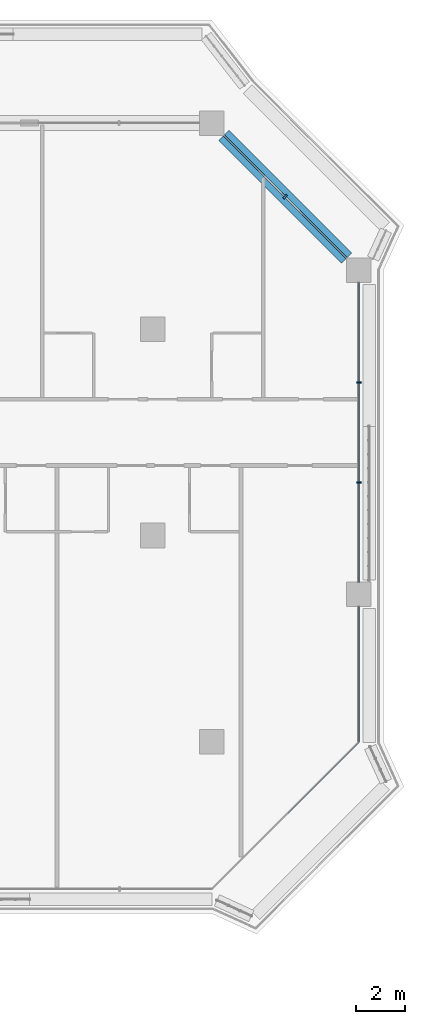
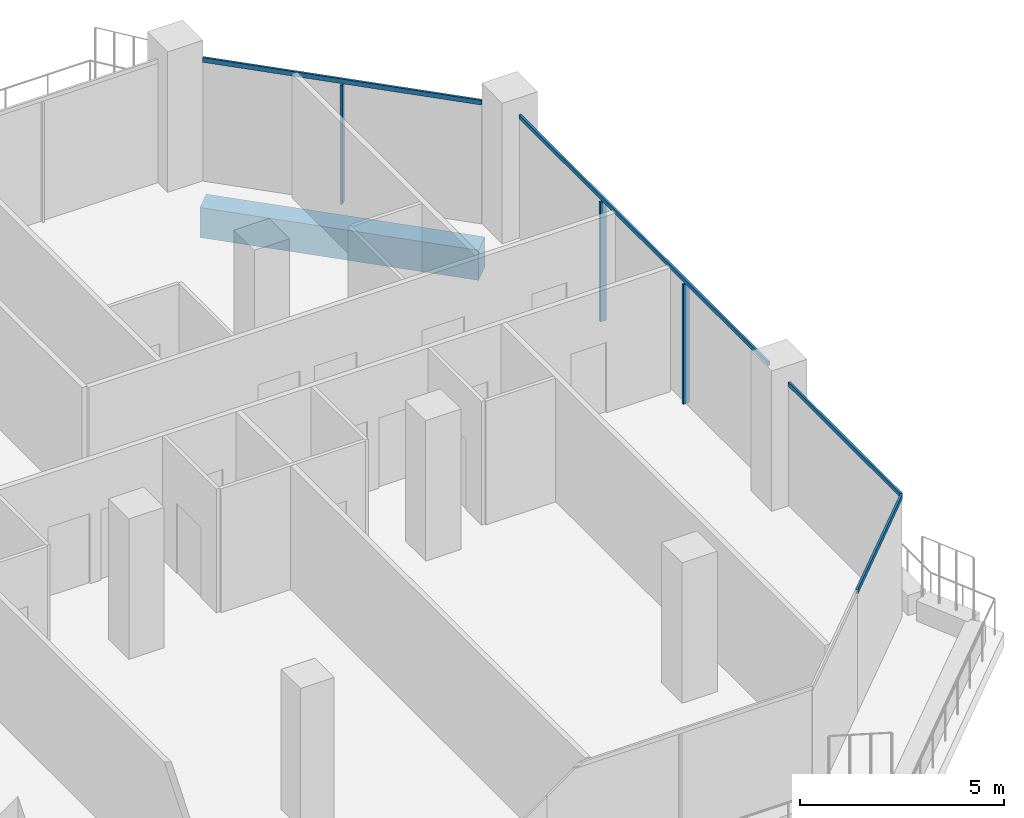
# One storey, part 7 of 22: 7 members, 1 beam, 3 elements without a shape of their own.
"""IFC4 building model written with IfcOpenShell, lengths in metres."""

from ifc_helpers import new_model, si_unit, direction, frame, origin, origin_2d, place, context, subcontext, project, spatial, rectangle, extrude, material, layer, layer_set, material_profile, profile_set, type_object, element, aggregate, save


model = new_model("IFC4")

# Units and contexts
model_context = context("Model", 3, precision=1e-05, world=origin(), true_north=direction((0.0, 1.0)))
body_context = subcontext(model_context, "Body", "Model", "MODEL_VIEW")
ifc_project = project(units=[si_unit("LENGTHUNIT", "METRE"), si_unit("AREAUNIT", "SQUARE_METRE"), si_unit("VOLUMEUNIT", "CUBIC_METRE"), si_unit("PLANEANGLEUNIT", "RADIAN"), si_unit("MASSUNIT", "GRAM", prefix="KILO")], contexts=[model_context])

# Site, building, storey
site_placement = place(None, origin())
site = spatial("IfcSite", under=ifc_project, at=site_placement, CompositionType="ELEMENT")
building_placement = place(site_placement, origin())
building = spatial("IfcBuilding", under=site, at=building_placement, Name="Kawkab Arch Medical Tower", CompositionType="ELEMENT")
storey_placement = place(building_placement, frame((0.0, 0.0, 208.800048828125)))
storey = spatial("IfcBuildingStorey", under=building, at=storey_placement, Name="L48", CompositionType="ELEMENT", Elevation=208.800048828125)

# Curtain wall, members
ifc_material_1 = material(Name="Bronze anodised aluminium curtain wall frame", Category="aluminium")
ifc_layer_1 = layer(ifc_material_1, 0.159912109375)
ifc_layer_set_1 = layer_set([ifc_layer_1], Name="Bronze anodised aluminium curtain wall frame")
curtain_wall_type_1 = type_object("IfcCurtainWallType", Name="CW1 ward curtain wall", PredefinedType="NOTDEFINED", material=ifc_layer_set_1)
placement = place(storey_placement, origin())
curtain_wall_1 = element("IfcCurtainWall", 1, at=placement, inside=storey, type_object=curtain_wall_type_1, Name="CW1 Ward curtain wall R09", PredefinedType="NOTDEFINED")
ifc_material_2 = material(Name="Bronze anodised aluminium curtain wall frame", Category="aluminium")
ifc_material_profile_1 = material_profile(ifc_material_2, rectangle(XDim=0.179931640625, YDim=0.06005859375, at=origin_2d()), Name="AL 60x180")
ifc_profile_set_1 = profile_set([ifc_material_profile_1], Name="Bronze anodised aluminium curtain wall frame")
member_type_1 = type_object("IfcMemberType", Name="CW1 mullion 60 x 180", PredefinedType="MULLION", material=ifc_profile_set_1)
member_1_placement = place(storey_placement, frame((67.199951171875, -14.63330078125, 0.0), z_axis=(0.0, 0.0, 1.0), x_axis=(-1.0, 0.0, 0.0)))
member_1 = element("IfcMember", 2, at=member_1_placement, type_object=member_type_1, Name="CW1 mullion 2.1", PredefinedType="MULLION", context=body_context, shape_type="SweptSolid", body=[
    extrude(rectangle(XDim=0.179931640625, YDim=0.06005859375, at=origin_2d()), origin(), (0.0, 0.0, 1.0), 3.579833984375),
])
member_2_placement = place(storey_placement, frame((67.199951171875, -10.566650390625, 0.0), z_axis=(0.0, 0.0, 1.0), x_axis=(-1.0, 0.0, 0.0)))
member_2 = element("IfcMember", 3, at=member_2_placement, type_object=member_type_1, Name="CW1 mullion 2.2", PredefinedType="MULLION", context=body_context, shape_type="SweptSolid", body=[
    extrude(rectangle(XDim=0.179931640625, YDim=0.06005859375, at=origin_2d()), origin(), (0.0, 0.0, 1.0), 3.579833984375),
])
ifc_material_3 = material(Name="Bronze anodised aluminium curtain wall frame", Category="aluminium")
ifc_material_profile_2 = material_profile(ifc_material_3, rectangle(XDim=0.06005859375, YDim=0.1201171875, at=origin_2d()), Name="AL 60x120")
ifc_profile_set_2 = profile_set([ifc_material_profile_2], Name="Bronze anodised aluminium curtain wall frame")
member_type_2 = type_object("IfcMemberType", Name="CW1 transom 120 x 60", PredefinedType="USERDEFINED", material=ifc_profile_set_2)
member_3_placement = place(storey_placement, frame((67.199951171875, -25.199951171875, 3.639892578125), z_axis=(0.0, 1.0, 0.0), x_axis=(-1.0, 0.0, 0.0)))
member_3 = element("IfcMember", 4, at=member_3_placement, type_object=member_type_2, Name="CW1 transom 1", ObjectType="TRANSOM", PredefinedType="USERDEFINED", context=body_context, shape_type="SweptSolid", body=[
    extrude(rectangle(XDim=0.06005859375, YDim=0.1201171875, at=origin_2d()), origin(), (0.0, 0.0, 1.0), 5.5),
])
member_4_placement = place(storey_placement, frame((67.199951171875, -18.699951171875, 3.639892578125), z_axis=(0.0, 1.0, 0.0), x_axis=(-1.0, 0.0, 0.0)))
member_4 = element("IfcMember", 5, at=member_4_placement, type_object=member_type_2, Name="CW1 transom 2", ObjectType="TRANSOM", PredefinedType="USERDEFINED", context=body_context, shape_type="SweptSolid", body=[
    extrude(rectangle(XDim=0.06005859375, YDim=0.1201171875, at=origin_2d()), origin(), (0.0, 0.0, 1.0), 12.199951171875),
])
aggregate(curtain_wall_1, [member_3, member_4, member_1, member_2])

# Curtain wall, member
ifc_material_4 = material(Name="Bronze anodised aluminium curtain wall frame", Category="aluminium")
ifc_layer_2 = layer(ifc_material_4, 0.159912109375)
ifc_layer_set_2 = layer_set([ifc_layer_2], Name="Bronze anodised aluminium curtain wall frame")
curtain_wall_type_2 = type_object("IfcCurtainWallType", Name="CW2 chamfer curtain wall", PredefinedType="NOTDEFINED", material=ifc_layer_set_2)
curtain_wall_2 = element("IfcCurtainWall", 6, at=placement, inside=storey, type_object=curtain_wall_type_2, Name="CW2 Chamfer curtain wall R10", PredefinedType="NOTDEFINED")
ifc_material_5 = material(Name="Bronze anodised aluminium curtain wall frame", Category="aluminium")
ifc_material_profile_3 = material_profile(ifc_material_5, rectangle(XDim=0.199951171875, YDim=0.06005859375, at=origin_2d()), Name="AL 60x200")
ifc_profile_set_3 = profile_set([ifc_material_profile_3], Name="Bronze anodised aluminium curtain wall frame")
member_type_3 = type_object("IfcMemberType", Name="CW2 mullion 60 x 200", PredefinedType="MULLION", material=ifc_profile_set_3)
member_5_placement = place(storey_placement, frame((64.199951171875, -3.0, 0.0), z_axis=(0.0, 0.0, 1.0), x_axis=(-0.707106781187, -0.707106781187, 0.0)))
member_5 = element("IfcMember", 7, at=member_5_placement, type_object=member_type_3, Name="CW2 mullion 1.1", PredefinedType="MULLION", context=body_context, shape_type="SweptSolid", body=[
    extrude(rectangle(XDim=0.199951171875, YDim=0.06005859375, at=origin_2d()), origin(), (0.0, 0.0, 1.0), 3.56005859375),
])

curtain_wall_3 = element("IfcCurtainWall", 8, at=placement, inside=storey, type_object=curtain_wall_type_2, Name="CW2 Chamfer curtain wall R08", PredefinedType="NOTDEFINED")
ifc_material_6 = material(Name="Bronze anodised aluminium curtain wall frame", Category="aluminium")
ifc_material_profile_4 = material_profile(ifc_material_6, rectangle(XDim=0.06005859375, YDim=0.139892578125, at=origin_2d()), Name="AL 60x140")
ifc_profile_set_4 = profile_set([ifc_material_profile_4], Name="Bronze anodised aluminium curtain wall frame")
member_type_4 = type_object("IfcMemberType", Name="CW2 transom 140 x 60", PredefinedType="USERDEFINED", material=ifc_profile_set_4)
member_6_placement = place(storey_placement, frame((64.199951171875, -28.199951171875, 3.6298828125), z_axis=(0.707106781187, 0.707106781187, 0.0), x_axis=(-0.707106781187, 0.707106781187, 0.0)))
member_6 = element("IfcMember", 9, at=member_6_placement, type_object=member_type_4, Name="CW2 transom 2", ObjectType="TRANSOM", PredefinedType="USERDEFINED", context=body_context, shape_type="SweptSolid", body=[
    extrude(rectangle(XDim=0.06005859375, YDim=0.139892578125, at=origin_2d()), origin(), (0.0, 0.0, 1.0), 4.24267578125),
])
aggregate(curtain_wall_3, [member_6])

# Member
member_7_placement = place(storey_placement, frame((66.699951171875, -5.5, 3.6298828125), z_axis=(-0.707106781187, 0.707106781187, 0.0), x_axis=(-0.707106781187, -0.707106781187, 0.0)))
member_7 = element("IfcMember", 10, at=member_7_placement, type_object=member_type_4, Name="CW2 transom 1", ObjectType="TRANSOM", PredefinedType="USERDEFINED", context=body_context, shape_type="SweptSolid", body=[
    extrude(rectangle(XDim=0.06005859375, YDim=0.139892578125, at=origin_2d()), origin(), (0.0, 0.0, 1.0), 7.071044921875),
])

aggregate(curtain_wall_2, [member_7, member_5])

# Beam
ifc_material_7 = material(Name="Concrete C50/60", Category="concrete")
ifc_material_profile_5 = material_profile(ifc_material_7, rectangle(XDim=0.60009765625, YDim=0.89990234375, at=origin_2d()), Name="RC 600x900")
ifc_profile_set_5 = profile_set([ifc_material_profile_5], Name="Concrete C50/60")
beam_type = type_object("IfcBeamType", Name="RC 600x900 beam C50/60", PredefinedType="BEAM", material=ifc_profile_set_5)
beam_placement = place(storey_placement, frame((61.699951171875, -0.5, -1.050048828125), z_axis=(0.707106781187, -0.707106781187, 0.0), x_axis=(0.707106781187, 0.707106781187, 0.0)))
element("IfcBeam", 11, at=beam_placement, inside=storey, type_object=beam_type, Name="Overhang edge beam L48-08", PredefinedType="BEAM", context=body_context, shape_type="SweptSolid", body=[
    extrude(rectangle(XDim=0.60009765625, YDim=0.89990234375, at=origin_2d()), origin(), (0.0, 0.0, 1.0), 7.071044921875),
])

save(model, "model.ifc")
